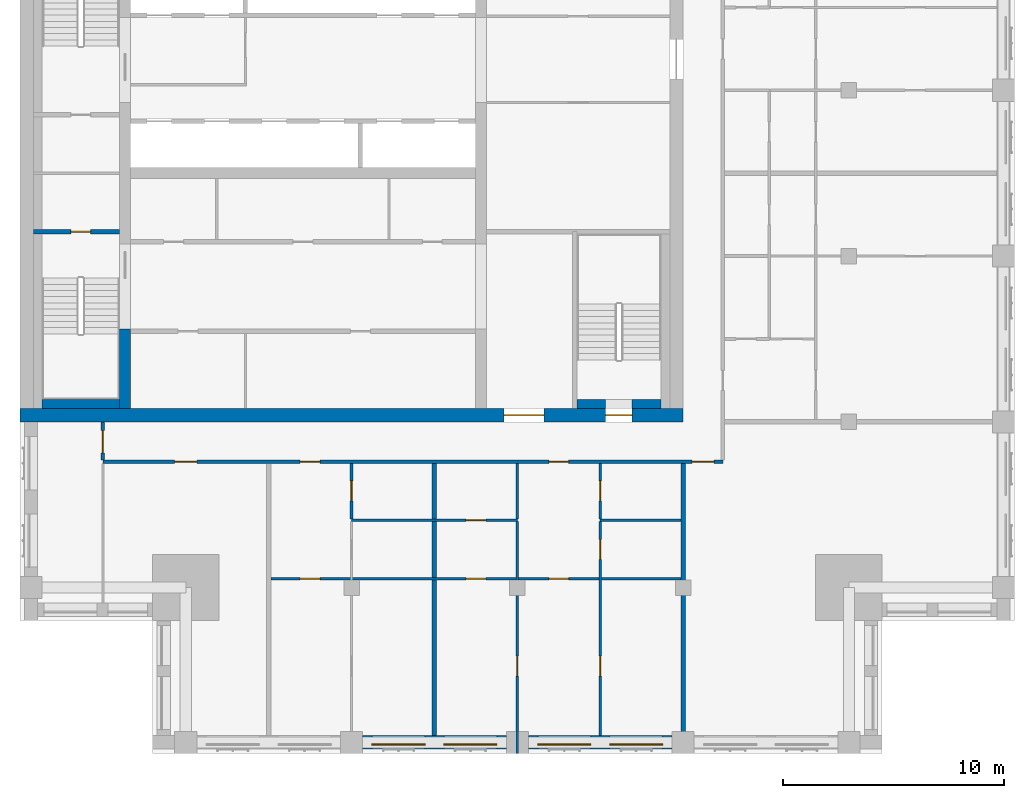
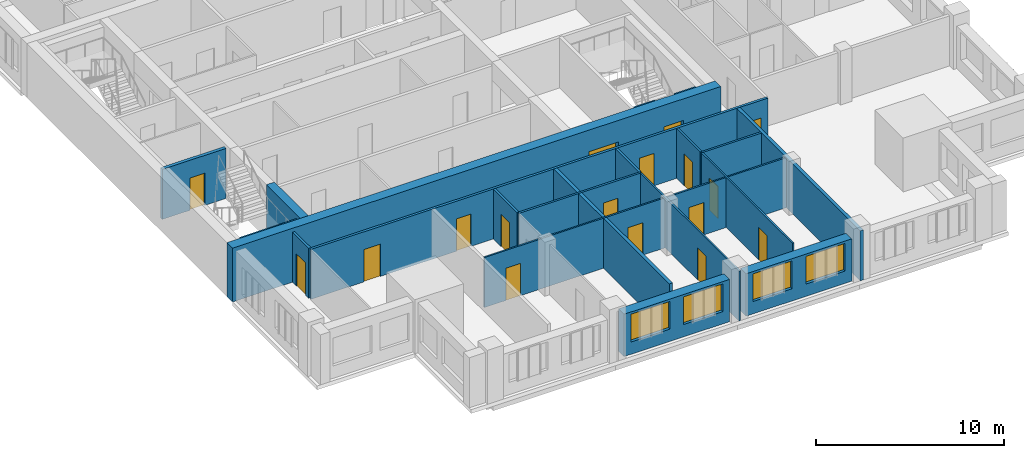
# One storey, part 3 of 10: 20 walls, 17 doors, 4 windows, 21 openings.
"""IFC4 building model written with IfcOpenShell, lengths in metres."""

from ifc_helpers import new_model, si_unit, direction, frame, frame_2d, origin, place, context, subcontext, project, spatial, rectangle, extrude, material, layer, layer_set, type_object, element, fill, save


model = new_model("IFC4")

# Units and contexts
model_context = context("Model", 3, precision=1e-05, world=origin(), true_north=direction((0.0, 1.0)))
body_context = subcontext(model_context, "Body", "Model", "MODEL_VIEW")
ifc_project = project(units=[si_unit("LENGTHUNIT", "METRE"), si_unit("AREAUNIT", "SQUARE_METRE"), si_unit("VOLUMEUNIT", "CUBIC_METRE"), si_unit("PLANEANGLEUNIT", "RADIAN"), si_unit("MASSUNIT", "GRAM", prefix="KILO")], contexts=[model_context])

# Site, building, storey
site_placement = place(None, origin())
site = spatial("IfcSite", under=ifc_project, at=site_placement, CompositionType="ELEMENT")
building_placement = place(site_placement, origin())
building = spatial("IfcBuilding", under=site, at=building_placement, Name="Tamorin Gate", CompositionType="ELEMENT")
storey_placement = place(building_placement, frame((0.0, 0.0, 280.199951171875)))
storey = spatial("IfcBuildingStorey", under=building, at=storey_placement, Name="L70", CompositionType="ELEMENT", Elevation=280.199951171875)

# Wall, openings, windows
ifc_material_1 = material(Name="Precast concrete C40/50", Category="concrete")
ifc_layer_1 = layer(ifc_material_1, 0.60009765625)
ifc_layer_set_1 = layer_set([ifc_layer_1], Name="Precast concrete C40/50")
wall_type_1 = type_object("IfcWallType", Name="Board-marked concrete facade panel 600", PredefinedType="SOLIDWALL", material=ifc_layer_set_1)
wall_1_placement = place(storey_placement, frame((45.5, 45.5, 0.0), z_axis=(0.0, 0.0, 1.0), x_axis=(1.0, 0.0, 0.0)))
wall_1 = element("IfcWall", 1, at=wall_1_placement, inside=storey, type_object=wall_type_1, Name="Facade panel", PredefinedType="SOLIDWALL", context=body_context, shape_type="SweptSolid", body=[
    extrude(rectangle(XDim=6.5, YDim=0.60009765625, at=frame_2d((3.25, 0.0))), origin(), (0.0, 0.0, 1.0), 2.75),
])
opening_1_placement = place(wall_1_placement, frame((0.425048828125, 0.0, 0.800048828125)))
opening_1 = element("IfcOpeningElement", 2, at=opening_1_placement, cuts=wall_1, Name="Opening WN1", PredefinedType="OPENING", context=body_context, shape_type="SweptSolid", body=[
    extrude(rectangle(XDim=2.39990234375, YDim=1.800048828125, at=frame_2d((1.199951171875, 0.89990234375))), frame((0.0, 0.31005859375, 0.0), z_axis=(0.0, -1.0, 0.0), x_axis=(1.0, 0.0, 0.0)), (0.0, 0.0, 1.0), 0.6201171875),
])
opening_2_placement = place(wall_1_placement, frame((3.675048828125, 0.0, 0.800048828125)))
opening_2 = element("IfcOpeningElement", 3, at=opening_2_placement, cuts=wall_1, Name="Opening WN1", PredefinedType="OPENING", context=body_context, shape_type="SweptSolid", body=[
    extrude(rectangle(XDim=2.39990234375, YDim=1.800048828125, at=frame_2d((1.199951171875, 0.89990234375))), frame((0.0, 0.31005859375, 0.0), z_axis=(0.0, -1.0, 0.0), x_axis=(1.0, 0.0, 0.0)), (0.0, 0.0, 1.0), 0.6201171875),
])
ifc_material_2 = material(Name="Clear glass in aluminium frame", Category="aluminium")
window_type = type_object("IfcWindowType", Name="Deep-set window 2400x1800", PartitioningType="SINGLE_PANEL", PredefinedType="WINDOW", material=ifc_material_2)
window_1_placement = place(opening_1_placement, origin())
window_1 = element("IfcWindow", 4, at=window_1_placement, inside=storey, type_object=window_type, Name="Deep-set window", OverallHeight=1.800048828125, OverallWidth=2.39990234375, PartitioningType="SINGLE_PANEL", PredefinedType="WINDOW", context=body_context, shape_type="SweptSolid", body=[
    extrude(rectangle(XDim=2.39990234375, YDim=1.800048828125, at=frame_2d((1.199951171875, 0.89990234375))), frame((0.0, -0.070068359375, 0.0), z_axis=(0.0, -1.0, 0.0), x_axis=(1.0, 0.0, 0.0)), (0.0, 0.0, 1.0), 0.06005859375),
])
fill(opening_1, window_1)
window_2_placement = place(opening_2_placement, origin())
window_2 = element("IfcWindow", 5, at=window_2_placement, inside=storey, type_object=window_type, Name="Deep-set window", OverallHeight=1.800048828125, OverallWidth=2.39990234375, PartitioningType="SINGLE_PANEL", PredefinedType="WINDOW", context=body_context, shape_type="SweptSolid", body=[
    extrude(rectangle(XDim=2.39990234375, YDim=1.800048828125, at=frame_2d((1.199951171875, 0.89990234375))), frame((0.0, -0.070068359375, 0.0), z_axis=(0.0, -1.0, 0.0), x_axis=(1.0, 0.0, 0.0)), (0.0, 0.0, 1.0), 0.06005859375),
])
fill(opening_2, window_2)

wall_2_placement = place(storey_placement, frame((53.0, 45.5, 0.0), z_axis=(0.0, 0.0, 1.0), x_axis=(1.0, 0.0, 0.0)))
wall_2 = element("IfcWall", 6, at=wall_2_placement, inside=storey, type_object=wall_type_1, Name="Facade panel", PredefinedType="SOLIDWALL", context=body_context, shape_type="SweptSolid", body=[
    extrude(rectangle(XDim=6.5, YDim=0.60009765625, at=frame_2d((3.25, 0.0))), origin(), (0.0, 0.0, 1.0), 2.75),
])
opening_3_placement = place(wall_2_placement, frame((0.425048828125, 0.0, 0.800048828125)))
opening_3 = element("IfcOpeningElement", 7, at=opening_3_placement, cuts=wall_2, Name="Opening WN1", PredefinedType="OPENING", context=body_context, shape_type="SweptSolid", body=[
    extrude(rectangle(XDim=2.39990234375, YDim=1.800048828125, at=frame_2d((1.199951171875, 0.89990234375))), frame((0.0, 0.31005859375, 0.0), z_axis=(0.0, -1.0, 0.0), x_axis=(1.0, 0.0, 0.0)), (0.0, 0.0, 1.0), 0.6201171875),
])
opening_4_placement = place(wall_2_placement, frame((3.675048828125, 0.0, 0.800048828125)))
opening_4 = element("IfcOpeningElement", 8, at=opening_4_placement, cuts=wall_2, Name="Opening WN1", PredefinedType="OPENING", context=body_context, shape_type="SweptSolid", body=[
    extrude(rectangle(XDim=2.39990234375, YDim=1.800048828125, at=frame_2d((1.199951171875, 0.89990234375))), frame((0.0, 0.31005859375, 0.0), z_axis=(0.0, -1.0, 0.0), x_axis=(1.0, 0.0, 0.0)), (0.0, 0.0, 1.0), 0.6201171875),
])
window_3_placement = place(opening_3_placement, origin())
window_3 = element("IfcWindow", 9, at=window_3_placement, inside=storey, type_object=window_type, Name="Deep-set window", OverallHeight=1.800048828125, OverallWidth=2.39990234375, PartitioningType="SINGLE_PANEL", PredefinedType="WINDOW", context=body_context, shape_type="SweptSolid", body=[
    extrude(rectangle(XDim=2.39990234375, YDim=1.800048828125, at=frame_2d((1.199951171875, 0.89990234375))), frame((0.0, -0.070068359375, 0.0), z_axis=(0.0, -1.0, 0.0), x_axis=(1.0, 0.0, 0.0)), (0.0, 0.0, 1.0), 0.06005859375),
])
fill(opening_3, window_3)
window_4_placement = place(opening_4_placement, origin())
window_4 = element("IfcWindow", 10, at=window_4_placement, inside=storey, type_object=window_type, Name="Deep-set window", OverallHeight=1.800048828125, OverallWidth=2.39990234375, PartitioningType="SINGLE_PANEL", PredefinedType="WINDOW", context=body_context, shape_type="SweptSolid", body=[
    extrude(rectangle(XDim=2.39990234375, YDim=1.800048828125, at=frame_2d((1.199951171875, 0.89990234375))), frame((0.0, -0.070068359375, 0.0), z_axis=(0.0, -1.0, 0.0), x_axis=(1.0, 0.0, 0.0)), (0.0, 0.0, 1.0), 0.06005859375),
])
fill(opening_4, window_4)

# Wall, openings, doors
ifc_material_3 = material(Name="Gypsum board partition")
ifc_layer_2 = layer(ifc_material_3, 0.14990234375)
ifc_layer_set_2 = layer_set([ifc_layer_2], Name="Corridor wall 150")
wall_type_2 = type_object("IfcWallType", Name="Corridor wall 150", PredefinedType="PARTITIONING", material=ifc_layer_set_2)
wall_3_placement = place(storey_placement, frame((33.75, 58.199951171875, 0.0), z_axis=(0.0, 0.0, 1.0), x_axis=(1.0, 0.0, 0.0)))
wall_3 = element("IfcWall", 11, at=wall_3_placement, inside=storey, type_object=wall_type_2, Name="Corridor wall 150", PredefinedType="PARTITIONING", context=body_context, shape_type="SweptSolid", body=[
    extrude(rectangle(XDim=28.050048828125, YDim=0.14990234375, at=frame_2d((14.02490234375, 0.0))), origin(), (0.0, 0.0, 1.0), 3.25),
])
opening_5_placement = place(wall_3_placement, frame((3.25, 0.0, 0.0)))
opening_5 = element("IfcOpeningElement", 12, at=opening_5_placement, cuts=wall_3, Name="Opening DR9002", PredefinedType="OPENING", context=body_context, shape_type="SweptSolid", body=[
    extrude(rectangle(XDim=1.0, YDim=2.10009765625, at=frame_2d((0.5, 1.050048828125))), frame((0.0, 0.0849609375, 0.0), z_axis=(0.0, -1.0, 0.0), x_axis=(1.0, 0.0, 0.0)), (0.0, 0.0, 1.0), 0.169921875),
])
opening_6_placement = place(wall_3_placement, frame((8.925048828125, 0.0, 0.0)))
opening_6 = element("IfcOpeningElement", 13, at=opening_6_placement, cuts=wall_3, Name="Opening DR9003", PredefinedType="OPENING", context=body_context, shape_type="SweptSolid", body=[
    extrude(rectangle(XDim=0.89990234375, YDim=2.10009765625, at=frame_2d((0.449951171875, 1.050048828125))), frame((0.0, 0.0849609375, 0.0), z_axis=(0.0, -1.0, 0.0), x_axis=(1.0, 0.0, 0.0)), (0.0, 0.0, 1.0), 0.169921875),
])
opening_7_placement = place(wall_3_placement, frame((20.175048828125, 0.0, 0.0)))
opening_7 = element("IfcOpeningElement", 14, at=opening_7_placement, cuts=wall_3, Name="Opening DR9010", PredefinedType="OPENING", context=body_context, shape_type="SweptSolid", body=[
    extrude(rectangle(XDim=0.89990234375, YDim=2.10009765625, at=frame_2d((0.449951171875, 1.050048828125))), frame((0.0, 0.0849609375, 0.0), z_axis=(0.0, -1.0, 0.0), x_axis=(1.0, 0.0, 0.0)), (0.0, 0.0, 1.0), 0.169921875),
])
opening_8_placement = place(wall_3_placement, frame((26.64990234375, 0.0, 0.0)))
opening_8 = element("IfcOpeningElement", 15, at=opening_8_placement, cuts=wall_3, Name="Opening DR9016", PredefinedType="OPENING", context=body_context, shape_type="SweptSolid", body=[
    extrude(rectangle(XDim=1.0, YDim=2.10009765625, at=frame_2d((0.5, 1.050048828125))), frame((0.0, 0.0849609375, 0.0), z_axis=(0.0, -1.0, 0.0), x_axis=(1.0, 0.0, 0.0)), (0.0, 0.0, 1.0), 0.169921875),
])
ifc_material_4 = material(Name="Timber door leaf", Category="wood")
door_type_1 = type_object("IfcDoorType", Name="Door 1000 x 2100 FD30S", OperationType="NOTDEFINED", PredefinedType="DOOR", material=ifc_material_4)
door_1_placement = place(opening_5_placement, origin())
door_1 = element("IfcDoor", 16, at=door_1_placement, inside=storey, type_object=door_type_1, Name="Door DR9002", OperationType="SINGLE_SWING_RIGHT", OverallHeight=2.10009765625, OverallWidth=1.0, PredefinedType="DOOR", context=body_context, shape_type="SweptSolid", body=[
    extrude(rectangle(XDim=1.0, YDim=2.10009765625, at=frame_2d((0.5, 1.050048828125))), frame((0.0, 0.02490234375, 0.0), z_axis=(0.0, -1.0, 0.0), x_axis=(1.0, 0.0, 0.0)), (0.0, 0.0, 1.0), 0.050048828125),
])
fill(opening_5, door_1)
door_2_placement = place(opening_8_placement, origin())
door_2 = element("IfcDoor", 17, at=door_2_placement, inside=storey, type_object=door_type_1, Name="Door DR9016", OperationType="SINGLE_SWING_RIGHT", OverallHeight=2.10009765625, OverallWidth=1.0, PredefinedType="DOOR", context=body_context, shape_type="SweptSolid", body=[
    extrude(rectangle(XDim=1.0, YDim=2.10009765625, at=frame_2d((0.5, 1.050048828125))), frame((0.0, 0.02490234375, 0.0), z_axis=(0.0, -1.0, 0.0), x_axis=(1.0, 0.0, 0.0)), (0.0, 0.0, 1.0), 0.050048828125),
])
fill(opening_8, door_2)
door_type_2 = type_object("IfcDoorType", Name="Door 900 x 2100 FD30S", OperationType="NOTDEFINED", PredefinedType="DOOR", material=ifc_material_4)
door_3_placement = place(opening_6_placement, origin())
door_3 = element("IfcDoor", 18, at=door_3_placement, inside=storey, type_object=door_type_2, Name="Door DR9003", OperationType="SINGLE_SWING_RIGHT", OverallHeight=2.10009765625, OverallWidth=0.89990234375, PredefinedType="DOOR", context=body_context, shape_type="SweptSolid", body=[
    extrude(rectangle(XDim=0.89990234375, YDim=2.10009765625, at=frame_2d((0.449951171875, 1.050048828125))), frame((0.0, 0.02490234375, 0.0), z_axis=(0.0, -1.0, 0.0), x_axis=(1.0, 0.0, 0.0)), (0.0, 0.0, 1.0), 0.050048828125),
])
fill(opening_6, door_3)
door_4_placement = place(opening_7_placement, origin())
door_4 = element("IfcDoor", 19, at=door_4_placement, inside=storey, type_object=door_type_2, Name="Door DR9010", OperationType="SINGLE_SWING_RIGHT", OverallHeight=2.10009765625, OverallWidth=0.89990234375, PredefinedType="DOOR", context=body_context, shape_type="SweptSolid", body=[
    extrude(rectangle(XDim=0.89990234375, YDim=2.10009765625, at=frame_2d((0.449951171875, 1.050048828125))), frame((0.0, 0.02490234375, 0.0), z_axis=(0.0, -1.0, 0.0), x_axis=(1.0, 0.0, 0.0)), (0.0, 0.0, 1.0), 0.050048828125),
])
fill(opening_7, door_4)

# Wall, opening, door
wall_4_placement = place(storey_placement, frame((33.75, 58.27490234375, 0.0), z_axis=(0.0, 0.0, 1.0), x_axis=(0.0, 1.0, 0.0)))
wall_4 = element("IfcWall", 20, at=wall_4_placement, inside=storey, type_object=wall_type_2, Name="Corridor wall 150", PredefinedType="PARTITIONING", context=body_context, shape_type="SweptSolid", body=[
    extrude(rectangle(XDim=1.72509765625, YDim=0.14990234375, at=frame_2d((0.862548828125, 0.0))), origin(), (0.0, 0.0, 1.0), 3.25),
])
opening_9_placement = place(wall_4_placement, frame((0.324951171875, 0.0, 0.0)))
opening_9 = element("IfcOpeningElement", 21, at=opening_9_placement, cuts=wall_4, Name="Opening DR9001", PredefinedType="OPENING", context=body_context, shape_type="SweptSolid", body=[
    extrude(rectangle(XDim=1.0, YDim=2.10009765625, at=frame_2d((0.5, 1.050048828125))), frame((0.0, 0.0849609375, 0.0), z_axis=(0.0, -1.0, 0.0), x_axis=(1.0, 0.0, 0.0)), (0.0, 0.0, 1.0), 0.169921875),
])
door_5_placement = place(opening_9_placement, origin())
door_5 = element("IfcDoor", 22, at=door_5_placement, inside=storey, type_object=door_type_1, Name="Door DR9001", OperationType="SINGLE_SWING_RIGHT", OverallHeight=2.10009765625, OverallWidth=1.0, PredefinedType="DOOR", context=body_context, shape_type="SweptSolid", body=[
    extrude(rectangle(XDim=1.0, YDim=2.10009765625, at=frame_2d((0.5, 1.050048828125))), frame((0.0, 0.02490234375, 0.0), z_axis=(0.0, -1.0, 0.0), x_axis=(1.0, 0.0, 0.0)), (0.0, 0.0, 1.0), 0.050048828125),
])
fill(opening_9, door_5)

# Walls
ifc_layer_3 = layer(ifc_material_3, 0.199951171875)
ifc_layer_set_3 = layer_set([ifc_layer_3], Name="Demising wall 200")
wall_type_3 = type_object("IfcWallType", Name="Demising wall 200", PredefinedType="PARTITIONING", material=ifc_layer_set_3)
wall_5_placement = place(storey_placement, frame((48.75, 45.81005859375, 0.0), z_axis=(0.0, 0.0, 1.0), x_axis=(0.0, 1.0, 0.0)))
element("IfcWall", 23, at=wall_5_placement, inside=storey, type_object=wall_type_3, Name="Demising wall 200", PredefinedType="PARTITIONING", context=body_context, shape_type="SweptSolid", body=[
    extrude(rectangle(XDim=12.31494140625, YDim=0.199951171875, at=frame_2d((6.157470703125, 0.0))), origin(), (0.0, 0.0, 1.0), 3.25),
])
wall_6_placement = place(storey_placement, frame((60.0, 45.0, 0.0), z_axis=(0.0, 0.0, 1.0), x_axis=(0.0, 1.0, 0.0)))
element("IfcWall", 24, at=wall_6_placement, inside=storey, type_object=wall_type_3, Name="Demising wall 200", PredefinedType="PARTITIONING", context=body_context, shape_type="SweptSolid", body=[
    extrude(rectangle(XDim=13.125, YDim=0.199951171875, at=frame_2d((6.5625, 0.0))), origin(), (0.0, 0.0, 1.0), 3.25),
])
ifc_material_5 = material(Name="Concrete C50/60", Category="concrete")
ifc_layer_4 = layer(ifc_material_5, 0.5)
ifc_layer_set_4 = layer_set([ifc_layer_4], Name="RC core internal wall 500 C50/60")
wall_type_4 = type_object("IfcWallType", Name="RC core internal wall 500 C50/60", PredefinedType="SHEAR", material=ifc_layer_set_4)
wall_7_placement = place(storey_placement, frame((34.75, 60.60009765625, 0.0), z_axis=(0.0, 0.0, 1.0), x_axis=(0.0, 1.0, 0.0)))
element("IfcWall", 25, at=wall_7_placement, inside=storey, type_object=wall_type_4, Name="Core cross wall L70", PredefinedType="SHEAR", context=body_context, shape_type="SweptSolid", body=[
    extrude(rectangle(XDim=3.599853515625, YDim=0.5, at=frame_2d((1.7998046875, 0.0))), origin(), (0.0, 0.0, 1.0), 3.5),
])

# Wall, openings, doors
ifc_layer_5 = layer(ifc_material_5, 0.60009765625)
ifc_layer_set_5 = layer_set([ifc_layer_5], Name="RC core wall 600 C50/60")
wall_type_5 = type_object("IfcWallType", Name="RC core wall 600 C50/60", PredefinedType="SHEAR", material=ifc_layer_set_5)
wall_8_placement = place(storey_placement, frame((30.0, 60.300048828125, 0.0), z_axis=(0.0, 0.0, 1.0), x_axis=(1.0, 0.0, 0.0)))
wall_8 = element("IfcWall", 26, at=wall_8_placement, inside=storey, type_object=wall_type_5, Name="Core wall L70", PredefinedType="SHEAR", context=body_context, shape_type="SweptSolid", body=[
    extrude(rectangle(XDim=30.0, YDim=0.60009765625, at=frame_2d((15.0, 0.0))), origin(), (0.0, 0.0, 1.0), 3.5),
])
opening_10_placement = place(wall_8_placement, frame((21.89990234375, 0.0, 0.0)))
opening_10 = element("IfcOpeningElement", 27, at=opening_10_placement, cuts=wall_8, Name="Opening DE1", PredefinedType="OPENING", context=body_context, shape_type="SweptSolid", body=[
    extrude(rectangle(XDim=1.800048828125, YDim=2.10009765625, at=frame_2d((0.89990234375, 1.050048828125))), frame((0.0, 0.31005859375, 0.0), z_axis=(0.0, -1.0, 0.0), x_axis=(1.0, 0.0, 0.0)), (0.0, 0.0, 1.0), 0.6201171875),
])
opening_11_placement = place(wall_8_placement, frame((26.5, 0.0, 0.0)))
opening_11 = element("IfcOpeningElement", 28, at=opening_11_placement, cuts=wall_8, Name="Opening DS1", PredefinedType="OPENING", context=body_context, shape_type="SweptSolid", body=[
    extrude(rectangle(XDim=1.199951171875, YDim=2.10009765625, at=frame_2d((0.60009765625, 1.050048828125))), frame((0.0, 0.31005859375, 0.0), z_axis=(0.0, -1.0, 0.0), x_axis=(1.0, 0.0, 0.0)), (0.0, 0.0, 1.0), 0.6201171875),
])
ifc_material_6 = material(Name="Steel fire door", Category="steel")
door_type_3 = type_object("IfcDoorType", Name="Lobby exit double door 1800 x 2100 EI 60", OperationType="DOUBLE_DOOR_SINGLE_SWING", PredefinedType="DOOR", material=ifc_material_6)
door_6_placement = place(opening_10_placement, origin())
door_6 = element("IfcDoor", 29, at=door_6_placement, inside=storey, type_object=door_type_3, Name="Lift lobby A exit door", OperationType="DOUBLE_DOOR_SINGLE_SWING", OverallHeight=2.10009765625, OverallWidth=1.800048828125, PredefinedType="DOOR", context=body_context, shape_type="SweptSolid", body=[
    extrude(rectangle(XDim=1.800048828125, YDim=2.10009765625, at=frame_2d((0.89990234375, 1.050048828125))), frame((0.0, 0.02490234375, 0.0), z_axis=(0.0, -1.0, 0.0), x_axis=(1.0, 0.0, 0.0)), (0.0, 0.0, 1.0), 0.050048828125),
])
fill(opening_10, door_6)
door_type_4 = type_object("IfcDoorType", Name="Stair door 1200 x 2100 EI 90", OperationType="SINGLE_SWING_LEFT", PredefinedType="DOOR", material=ifc_material_6)
door_7_placement = place(opening_11_placement, origin())
door_7 = element("IfcDoor", 30, at=door_7_placement, inside=storey, type_object=door_type_4, Name="ST3 door", OperationType="SINGLE_SWING_LEFT", OverallHeight=2.10009765625, OverallWidth=1.199951171875, PredefinedType="DOOR", context=body_context, shape_type="SweptSolid", body=[
    extrude(rectangle(XDim=1.199951171875, YDim=2.10009765625, at=frame_2d((0.60009765625, 1.050048828125))), frame((0.0, 0.02490234375, 0.0), z_axis=(0.0, -1.0, 0.0), x_axis=(1.0, 0.0, 0.0)), (0.0, 0.0, 1.0), 0.050048828125),
])
fill(opening_11, door_7)

ifc_layer_6 = layer(ifc_material_3, 0.10009765625)
ifc_layer_set_6 = layer_set([ifc_layer_6], Name="Room partition 100")
wall_type_6 = type_object("IfcWallType", Name="Room partition 100", PredefinedType="PARTITIONING", material=ifc_layer_set_6)
wall_9_placement = place(storey_placement, frame((41.35009765625, 52.89990234375, 0.0), z_axis=(0.0, 0.0, 1.0), x_axis=(1.0, 0.0, 0.0)))
wall_9 = element("IfcWall", 31, at=wall_9_placement, inside=storey, type_object=wall_type_6, Name="Room partition 100", PredefinedType="PARTITIONING", context=body_context, shape_type="SweptSolid", body=[
    extrude(rectangle(XDim=18.5498046875, YDim=0.10009765625, at=frame_2d((9.27490234375, 0.0))), origin(), (0.0, 0.0, 1.0), 3.25),
])
opening_12_placement = place(wall_9_placement, frame((1.324951171875, 0.0, 0.0)))
opening_12 = element("IfcOpeningElement", 32, at=opening_12_placement, cuts=wall_9, Name="Opening DR9004", PredefinedType="OPENING", context=body_context, shape_type="SweptSolid", body=[
    extrude(rectangle(XDim=0.89990234375, YDim=2.10009765625, at=frame_2d((0.449951171875, 1.050048828125))), frame((0.0, 0.06005859375, 0.0), z_axis=(0.0, -1.0, 0.0), x_axis=(1.0, 0.0, 0.0)), (0.0, 0.0, 1.0), 0.1201171875),
])
opening_13_placement = place(wall_9_placement, frame((8.824951171875, 0.0, 0.0)))
opening_13 = element("IfcOpeningElement", 33, at=opening_13_placement, cuts=wall_9, Name="Opening DR9008", PredefinedType="OPENING", context=body_context, shape_type="SweptSolid", body=[
    extrude(rectangle(XDim=0.89990234375, YDim=2.10009765625, at=frame_2d((0.449951171875, 1.050048828125))), frame((0.0, 0.06005859375, 0.0), z_axis=(0.0, -1.0, 0.0), x_axis=(1.0, 0.0, 0.0)), (0.0, 0.0, 1.0), 0.1201171875),
])
opening_14_placement = place(wall_9_placement, frame((12.574951171875, 0.0, 0.0)))
opening_14 = element("IfcOpeningElement", 34, at=opening_14_placement, cuts=wall_9, Name="Opening DR9011", PredefinedType="OPENING", context=body_context, shape_type="SweptSolid", body=[
    extrude(rectangle(XDim=0.89990234375, YDim=2.10009765625, at=frame_2d((0.449951171875, 1.050048828125))), frame((0.0, 0.06005859375, 0.0), z_axis=(0.0, -1.0, 0.0), x_axis=(1.0, 0.0, 0.0)), (0.0, 0.0, 1.0), 0.1201171875),
])
door_type_5 = type_object("IfcDoorType", Name="Door 900 x 2100", OperationType="NOTDEFINED", PredefinedType="DOOR", material=ifc_material_4)
door_8_placement = place(opening_12_placement, origin())
door_8 = element("IfcDoor", 35, at=door_8_placement, inside=storey, type_object=door_type_5, Name="Door DR9004", OperationType="SINGLE_SWING_LEFT", OverallHeight=2.10009765625, OverallWidth=0.89990234375, PredefinedType="DOOR", context=body_context, shape_type="SweptSolid", body=[
    extrude(rectangle(XDim=0.89990234375, YDim=2.10009765625, at=frame_2d((0.449951171875, 1.050048828125))), frame((0.0, 0.02490234375, 0.0), z_axis=(0.0, -1.0, 0.0), x_axis=(1.0, 0.0, 0.0)), (0.0, 0.0, 1.0), 0.050048828125),
])
fill(opening_12, door_8)
door_9_placement = place(opening_13_placement, origin())
door_9 = element("IfcDoor", 36, at=door_9_placement, inside=storey, type_object=door_type_5, Name="Door DR9008", OperationType="SINGLE_SWING_LEFT", OverallHeight=2.10009765625, OverallWidth=0.89990234375, PredefinedType="DOOR", context=body_context, shape_type="SweptSolid", body=[
    extrude(rectangle(XDim=0.89990234375, YDim=2.10009765625, at=frame_2d((0.449951171875, 1.050048828125))), frame((0.0, 0.02490234375, 0.0), z_axis=(0.0, -1.0, 0.0), x_axis=(1.0, 0.0, 0.0)), (0.0, 0.0, 1.0), 0.050048828125),
])
fill(opening_13, door_9)
door_10_placement = place(opening_14_placement, origin())
door_10 = element("IfcDoor", 37, at=door_10_placement, inside=storey, type_object=door_type_5, Name="Door DR9011", OperationType="SINGLE_SWING_LEFT", OverallHeight=2.10009765625, OverallWidth=0.89990234375, PredefinedType="DOOR", context=body_context, shape_type="SweptSolid", body=[
    extrude(rectangle(XDim=0.89990234375, YDim=2.10009765625, at=frame_2d((0.449951171875, 1.050048828125))), frame((0.0, 0.02490234375, 0.0), z_axis=(0.0, -1.0, 0.0), x_axis=(1.0, 0.0, 0.0)), (0.0, 0.0, 1.0), 0.050048828125),
])
fill(opening_14, door_10)

# Wall, opening, door
wall_10_placement = place(storey_placement, frame((52.5, 45.0, 0.0), z_axis=(0.0, 0.0, 1.0), x_axis=(0.0, 1.0, 0.0)))
wall_10 = element("IfcWall", 38, at=wall_10_placement, inside=storey, type_object=wall_type_6, Name="Room partition 100", PredefinedType="PARTITIONING", context=body_context, shape_type="SweptSolid", body=[
    extrude(rectangle(XDim=10.487548828125, YDim=0.10009765625, at=frame_2d((5.24365234375, 0.0))), origin(), (0.0, 0.0, 1.0), 3.25),
])
opening_15_placement = place(wall_10_placement, frame((3.5, 0.0, 0.0)))
opening_15 = element("IfcOpeningElement", 39, at=opening_15_placement, cuts=wall_10, Name="Opening DR9014", PredefinedType="OPENING", context=body_context, shape_type="SweptSolid", body=[
    extrude(rectangle(XDim=0.89990234375, YDim=2.10009765625, at=frame_2d((0.449951171875, 1.050048828125))), frame((0.0, 0.06005859375, 0.0), z_axis=(0.0, -1.0, 0.0), x_axis=(1.0, 0.0, 0.0)), (0.0, 0.0, 1.0), 0.1201171875),
])
door_11_placement = place(opening_15_placement, origin())
door_11 = element("IfcDoor", 40, at=door_11_placement, inside=storey, type_object=door_type_5, Name="Door DR9014", OperationType="SINGLE_SWING_LEFT", OverallHeight=2.10009765625, OverallWidth=0.89990234375, PredefinedType="DOOR", context=body_context, shape_type="SweptSolid", body=[
    extrude(rectangle(XDim=0.89990234375, YDim=2.10009765625, at=frame_2d((0.449951171875, 1.050048828125))), frame((0.0, 0.02490234375, 0.0), z_axis=(0.0, -1.0, 0.0), x_axis=(1.0, 0.0, 0.0)), (0.0, 0.0, 1.0), 0.050048828125),
])
fill(opening_15, door_11)

# Wall, openings, doors
wall_11_placement = place(storey_placement, frame((56.25, 45.81005859375, 0.0), z_axis=(0.0, 0.0, 1.0), x_axis=(0.0, 1.0, 0.0)))
wall_11 = element("IfcWall", 41, at=wall_11_placement, inside=storey, type_object=wall_type_6, Name="Room partition 100", PredefinedType="PARTITIONING", context=body_context, shape_type="SweptSolid", body=[
    extrude(rectangle(XDim=9.677490234375, YDim=0.10009765625, at=frame_2d((4.8388671875, 0.0))), origin(), (0.0, 0.0, 1.0), 3.25),
])
opening_16_placement = place(wall_11_placement, frame((7.965087890625, 0.0, 0.0)))
opening_16 = element("IfcOpeningElement", 42, at=opening_16_placement, cuts=wall_11, Name="Opening DR9012", PredefinedType="OPENING", context=body_context, shape_type="SweptSolid", body=[
    extrude(rectangle(XDim=0.89990234375, YDim=2.10009765625, at=frame_2d((0.449951171875, 1.050048828125))), frame((0.0, 0.06005859375, 0.0), z_axis=(0.0, -1.0, 0.0), x_axis=(1.0, 0.0, 0.0)), (0.0, 0.0, 1.0), 0.1201171875),
])
opening_17_placement = place(wall_11_placement, frame((2.68994140625, 0.0, 0.0)))
opening_17 = element("IfcOpeningElement", 43, at=opening_17_placement, cuts=wall_11, Name="Opening DR9015", PredefinedType="OPENING", context=body_context, shape_type="SweptSolid", body=[
    extrude(rectangle(XDim=0.89990234375, YDim=2.10009765625, at=frame_2d((0.449951171875, 1.050048828125))), frame((0.0, 0.06005859375, 0.0), z_axis=(0.0, -1.0, 0.0), x_axis=(1.0, 0.0, 0.0)), (0.0, 0.0, 1.0), 0.1201171875),
])
door_12_placement = place(opening_16_placement, origin())
door_12 = element("IfcDoor", 44, at=door_12_placement, inside=storey, type_object=door_type_5, Name="Door DR9012", OperationType="SINGLE_SWING_LEFT", OverallHeight=2.10009765625, OverallWidth=0.89990234375, PredefinedType="DOOR", context=body_context, shape_type="SweptSolid", body=[
    extrude(rectangle(XDim=0.89990234375, YDim=2.10009765625, at=frame_2d((0.449951171875, 1.050048828125))), frame((0.0, 0.02490234375, 0.0), z_axis=(0.0, -1.0, 0.0), x_axis=(1.0, 0.0, 0.0)), (0.0, 0.0, 1.0), 0.050048828125),
])
fill(opening_16, door_12)
door_13_placement = place(opening_17_placement, origin())
door_13 = element("IfcDoor", 45, at=door_13_placement, inside=storey, type_object=door_type_5, Name="Door DR9015", OperationType="SINGLE_SWING_LEFT", OverallHeight=2.10009765625, OverallWidth=0.89990234375, PredefinedType="DOOR", context=body_context, shape_type="SweptSolid", body=[
    extrude(rectangle(XDim=0.89990234375, YDim=2.10009765625, at=frame_2d((0.449951171875, 1.050048828125))), frame((0.0, 0.02490234375, 0.0), z_axis=(0.0, -1.0, 0.0), x_axis=(1.0, 0.0, 0.0)), (0.0, 0.0, 1.0), 0.050048828125),
])
fill(opening_17, door_13)

# Wall, opening, door
ifc_material_7 = material(Name="Concrete C40/50", Category="concrete")
ifc_layer_7 = layer(ifc_material_7, 0.199951171875)
ifc_layer_set_7 = layer_set([ifc_layer_7], Name="Stair enclosure wall 200 EI 120 C40/50")
wall_type_7 = type_object("IfcWallType", Name="Stair enclosure wall 200 EI 120 C40/50", PredefinedType="SOLIDWALL", material=ifc_layer_set_7)
wall_12_placement = place(storey_placement, frame((30.60009765625, 68.60009765625, 0.0), z_axis=(0.0, 0.0, 1.0), x_axis=(1.0, 0.0, 0.0)))
wall_12 = element("IfcWall", 46, at=wall_12_placement, inside=storey, type_object=wall_type_7, Name="Stair enclosure wall", PredefinedType="SOLIDWALL", context=body_context, shape_type="SweptSolid", body=[
    extrude(rectangle(XDim=3.89990234375, YDim=0.199951171875, at=frame_2d((1.949951171875, 0.0))), origin(), (0.0, 0.0, 1.0), 3.25),
])
opening_18_placement = place(wall_12_placement, frame((1.699951171875, 0.0, 0.0)))
opening_18 = element("IfcOpeningElement", 47, at=opening_18_placement, cuts=wall_12, Name="Opening DR1", PredefinedType="OPENING", context=body_context, shape_type="SweptSolid", body=[
    extrude(rectangle(XDim=0.89990234375, YDim=2.10009765625, at=frame_2d((0.449951171875, 1.050048828125))), frame((0.0, 0.10986328125, 0.0), z_axis=(0.0, -1.0, 0.0), x_axis=(1.0, 0.0, 0.0)), (0.0, 0.0, 1.0), 0.219970703125),
])
door_type_6 = type_object("IfcDoorType", Name="Riser access door 900 x 2100 EI 120", OperationType="SINGLE_SWING_LEFT", PredefinedType="DOOR", material=ifc_material_6)
door_14_placement = place(opening_18_placement, origin())
door_14 = element("IfcDoor", 48, at=door_14_placement, inside=storey, type_object=door_type_6, Name="Electrical riser door", OperationType="SINGLE_SWING_LEFT", OverallHeight=2.10009765625, OverallWidth=0.89990234375, PredefinedType="DOOR", context=body_context, shape_type="SweptSolid", body=[
    extrude(rectangle(XDim=0.89990234375, YDim=2.10009765625, at=frame_2d((0.449951171875, 1.050048828125))), frame((0.0, 0.02490234375, 0.0), z_axis=(0.0, -1.0, 0.0), x_axis=(1.0, 0.0, 0.0)), (0.0, 0.0, 1.0), 0.050048828125),
])
fill(opening_18, door_14)

# Walls
ifc_layer_8 = layer(ifc_material_5, 0.39990234375)
ifc_layer_set_8 = layer_set([ifc_layer_8], Name="Stair lining wall 400 EI 120 C50/60")
wall_type_8 = type_object("IfcWallType", Name="Stair lining wall 400 EI 120 C50/60", PredefinedType="SOLIDWALL", material=ifc_layer_set_8)
wall_13_placement = place(storey_placement, frame((31.0, 60.800048828125, 0.0), z_axis=(0.0, 0.0, 1.0), x_axis=(1.0, 0.0, 0.0)))
element("IfcWall", 49, at=wall_13_placement, inside=storey, type_object=wall_type_8, Name="Stair lining wall", PredefinedType="SOLIDWALL", context=body_context, shape_type="SweptSolid", body=[
    extrude(rectangle(XDim=3.5, YDim=0.39990234375, at=frame_2d((1.75, 0.0))), origin(), (0.0, 0.0, 1.0), 3.25),
])
for number, where, z_axis, x_axis, name in (
    (50, (55.199951171875, 60.800048828125, 0.0), (0.0, 0.0, 1.0), (1.0, 0.0, 0.0), "Stair lining wall"),
    (51, (57.699951171875, 60.800048828125, 0.0), (0.0, 0.0, 1.0), (1.0, 0.0, 0.0), "Stair lining wall"),
):
    element("IfcWall", number, at=place(storey_placement, frame(where, z_axis=z_axis, x_axis=x_axis)), inside=storey, type_object=wall_type_8, Name=name, PredefinedType="SOLIDWALL", context=body_context, shape_type="SweptSolid", body=[
        extrude(rectangle(XDim=1.300048828125, YDim=0.39990234375, at=frame_2d((0.64990234375, 0.0))), origin(), (0.0, 0.0, 1.0), 3.25),
    ])

# Wall, opening, door
ifc_layer_9 = layer(ifc_material_3, 0.125)
ifc_layer_set_9 = layer_set([ifc_layer_9], Name="Wet wall 125")
wall_type_9 = type_object("IfcWallType", Name="Wet wall 125", PredefinedType="PARTITIONING", material=ifc_layer_set_9)
wall_14_placement = place(storey_placement, frame((45.0, 55.550048828125, 0.0), z_axis=(0.0, 0.0, 1.0), x_axis=(1.0, 0.0, 0.0)))
wall_14 = element("IfcWall", 52, at=wall_14_placement, inside=storey, type_object=wall_type_9, Name="Wet wall 125", PredefinedType="PARTITIONING", context=body_context, shape_type="SweptSolid", body=[
    extrude(rectangle(XDim=7.5, YDim=0.125, at=frame_2d((3.75, 0.0))), origin(), (0.0, 0.0, 1.0), 3.25),
])
opening_19_placement = place(wall_14_placement, frame((5.175048828125, 0.0, 0.0)))
opening_19 = element("IfcOpeningElement", 53, at=opening_19_placement, cuts=wall_14, Name="Opening DR9009", PredefinedType="OPENING", context=body_context, shape_type="SweptSolid", body=[
    extrude(rectangle(XDim=0.89990234375, YDim=2.10009765625, at=frame_2d((0.449951171875, 1.050048828125))), frame((0.0, 0.072509765625, 0.0), z_axis=(0.0, -1.0, 0.0), x_axis=(1.0, 0.0, 0.0)), (0.0, 0.0, 1.0), 0.14501953125),
])
door_15_placement = place(opening_19_placement, origin())
door_15 = element("IfcDoor", 54, at=door_15_placement, inside=storey, type_object=door_type_5, Name="Door DR9009", OperationType="SINGLE_SWING_LEFT", OverallHeight=2.10009765625, OverallWidth=0.89990234375, PredefinedType="DOOR", context=body_context, shape_type="SweptSolid", body=[
    extrude(rectangle(XDim=0.89990234375, YDim=2.10009765625, at=frame_2d((0.449951171875, 1.050048828125))), frame((0.0, 0.02490234375, 0.0), z_axis=(0.0, -1.0, 0.0), x_axis=(1.0, 0.0, 0.0)), (0.0, 0.0, 1.0), 0.050048828125),
])
fill(opening_19, door_15)

# Wall
wall_15_placement = place(storey_placement, frame((56.25, 55.550048828125, 0.0), z_axis=(0.0, 0.0, 1.0), x_axis=(1.0, 0.0, 0.0)))
element("IfcWall", 55, at=wall_15_placement, inside=storey, type_object=wall_type_9, Name="Wet wall 125", PredefinedType="PARTITIONING", context=body_context, shape_type="SweptSolid", body=[
    extrude(rectangle(XDim=3.64990234375, YDim=0.125, at=frame_2d((1.824951171875, 0.0))), origin(), (0.0, 0.0, 1.0), 3.25),
])

# Wall, opening, door
wall_16_placement = place(storey_placement, frame((45.0, 55.612548828125, 0.0), z_axis=(0.0, 0.0, 1.0), x_axis=(0.0, 1.0, 0.0)))
wall_16 = element("IfcWall", 56, at=wall_16_placement, inside=storey, type_object=wall_type_9, Name="Wet wall 125", PredefinedType="PARTITIONING", context=body_context, shape_type="SweptSolid", body=[
    extrude(rectangle(XDim=2.512451171875, YDim=0.125, at=frame_2d((1.25634765625, 0.0))), origin(), (0.0, 0.0, 1.0), 3.25),
])
opening_20_placement = place(wall_16_placement, frame((0.8125, 0.0, 0.0)))
opening_20 = element("IfcOpeningElement", 57, at=opening_20_placement, cuts=wall_16, Name="Opening DR9006", PredefinedType="OPENING", context=body_context, shape_type="SweptSolid", body=[
    extrude(rectangle(XDim=0.89990234375, YDim=2.10009765625, at=frame_2d((0.449951171875, 1.050048828125))), frame((0.0, 0.072509765625, 0.0), z_axis=(0.0, -1.0, 0.0), x_axis=(1.0, 0.0, 0.0)), (0.0, 0.0, 1.0), 0.14501953125),
])
door_16_placement = place(opening_20_placement, origin())
door_16 = element("IfcDoor", 58, at=door_16_placement, inside=storey, type_object=door_type_5, Name="Door DR9006", OperationType="SINGLE_SWING_RIGHT", OverallHeight=2.10009765625, OverallWidth=0.89990234375, PredefinedType="DOOR", context=body_context, shape_type="SweptSolid", body=[
    extrude(rectangle(XDim=0.89990234375, YDim=2.10009765625, at=frame_2d((0.449951171875, 1.050048828125))), frame((0.0, 0.02490234375, 0.0), z_axis=(0.0, -1.0, 0.0), x_axis=(1.0, 0.0, 0.0)), (0.0, 0.0, 1.0), 0.050048828125),
])
fill(opening_20, door_16)

# Wall
wall_17_placement = place(storey_placement, frame((52.5, 55.612548828125, 0.0), z_axis=(0.0, 0.0, 1.0), x_axis=(0.0, 1.0, 0.0)))
element("IfcWall", 59, at=wall_17_placement, inside=storey, type_object=wall_type_9, Name="Wet wall 125", PredefinedType="PARTITIONING", context=body_context, shape_type="SweptSolid", body=[
    extrude(rectangle(XDim=2.512451171875, YDim=0.125, at=frame_2d((1.25634765625, 0.0))), origin(), (0.0, 0.0, 1.0), 3.25),
])

# Wall, opening, door
wall_18_placement = place(storey_placement, frame((56.25, 55.612548828125, 0.0), z_axis=(0.0, 0.0, 1.0), x_axis=(0.0, 1.0, 0.0)))
wall_18 = element("IfcWall", 60, at=wall_18_placement, inside=storey, type_object=wall_type_9, Name="Wet wall 125", PredefinedType="PARTITIONING", context=body_context, shape_type="SweptSolid", body=[
    extrude(rectangle(XDim=2.512451171875, YDim=0.125, at=frame_2d((1.25634765625, 0.0))), origin(), (0.0, 0.0, 1.0), 3.25),
])
opening_21_placement = place(wall_18_placement, frame((0.8125, 0.0, 0.0)))
opening_21 = element("IfcOpeningElement", 61, at=opening_21_placement, cuts=wall_18, Name="Opening DR9013", PredefinedType="OPENING", context=body_context, shape_type="SweptSolid", body=[
    extrude(rectangle(XDim=0.89990234375, YDim=2.10009765625, at=frame_2d((0.449951171875, 1.050048828125))), frame((0.0, 0.072509765625, 0.0), z_axis=(0.0, -1.0, 0.0), x_axis=(1.0, 0.0, 0.0)), (0.0, 0.0, 1.0), 0.14501953125),
])
door_17_placement = place(opening_21_placement, origin())
door_17 = element("IfcDoor", 62, at=door_17_placement, inside=storey, type_object=door_type_5, Name="Door DR9013", OperationType="SINGLE_SWING_RIGHT", OverallHeight=2.10009765625, OverallWidth=0.89990234375, PredefinedType="DOOR", context=body_context, shape_type="SweptSolid", body=[
    extrude(rectangle(XDim=0.89990234375, YDim=2.10009765625, at=frame_2d((0.449951171875, 1.050048828125))), frame((0.0, 0.02490234375, 0.0), z_axis=(0.0, -1.0, 0.0), x_axis=(1.0, 0.0, 0.0)), (0.0, 0.0, 1.0), 0.050048828125),
])
fill(opening_21, door_17)

save(model, "model.ifc")
